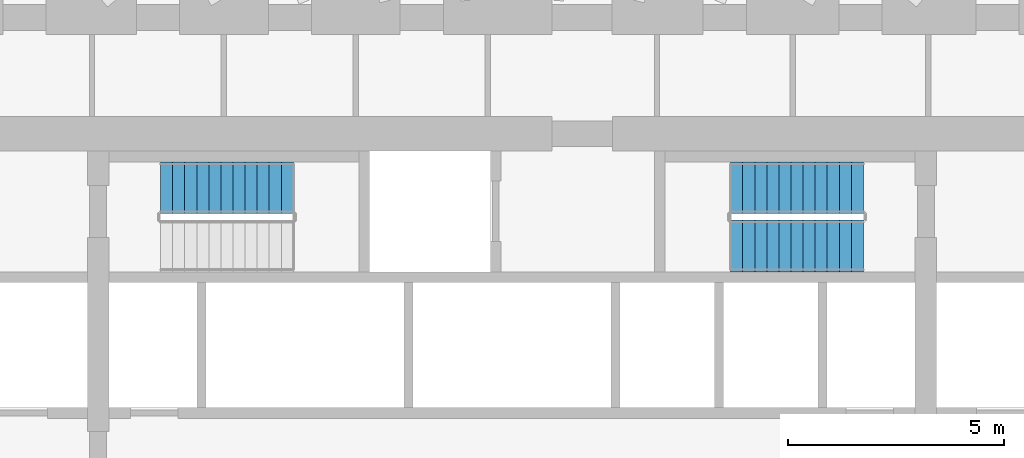
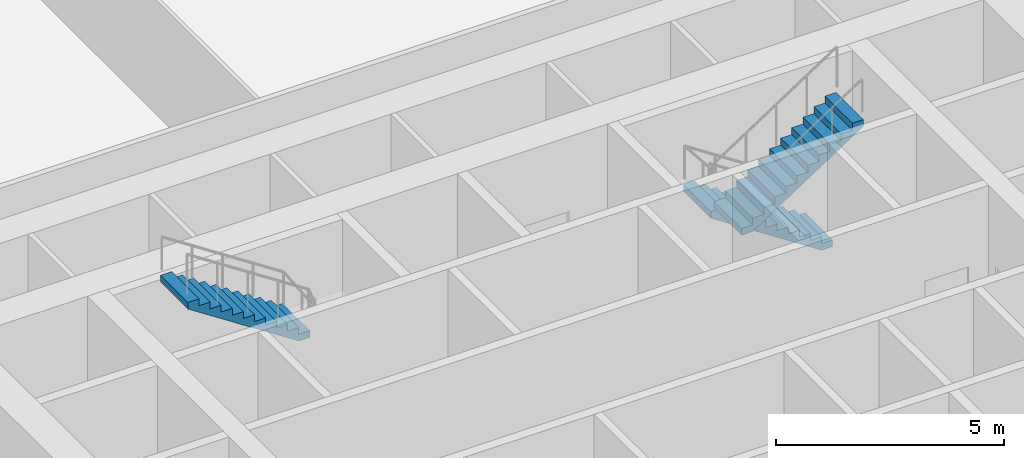
# One storey, part 9 of 13: 3 stair flights, 2 elements without a shape of their own.
"""IFC4 building model written with IfcOpenShell, lengths in metres."""

from ifc_helpers import new_model, si_unit, direction, frame, origin, place, context, subcontext, project, spatial, polyline, outline, extrude, material, layer, layer_set, type_object, element, aggregate, save


model = new_model("IFC4")

# Units and contexts
model_context = context("Model", 3, precision=1e-05, world=origin(), true_north=direction((0.0, 1.0)))
body_context = subcontext(model_context, "Body", "Model", "MODEL_VIEW")
ifc_project = project(units=[si_unit("LENGTHUNIT", "METRE"), si_unit("AREAUNIT", "SQUARE_METRE"), si_unit("VOLUMEUNIT", "CUBIC_METRE"), si_unit("PLANEANGLEUNIT", "RADIAN"), si_unit("MASSUNIT", "GRAM", prefix="KILO")], contexts=[model_context])

# Site, building, storey
site_placement = place(None, origin())
site = spatial("IfcSite", under=ifc_project, at=site_placement, CompositionType="ELEMENT")
building_placement = place(site_placement, origin())
building = spatial("IfcBuilding", under=site, at=building_placement, Name="Frailejon Research Tower", CompositionType="ELEMENT")
storey_placement = place(building_placement, frame((0.0, 0.0, 98.39990234375)))
storey = spatial("IfcBuildingStorey", under=building, at=storey_placement, Name="L21", CompositionType="ELEMENT", Elevation=98.39990234375)

# Stair, stair flight
ifc_material_1 = material(Name="Concrete C50/60", Category="concrete")
stair_type = type_object("IfcStairType", Name="Exit stair 24 risers", PredefinedType="HALF_TURN_STAIR", material=ifc_material_1)
stair_1_placement = place(storey_placement, origin())
stair_1 = element("IfcStair", 1, at=stair_1_placement, inside=storey, type_object=stair_type, Name="L21 Exit stair ST1", PredefinedType="HALF_TURN_STAIR")
ifc_material_2 = material(Name="Concrete C50/60", Category="concrete")
ifc_layer = layer(ifc_material_2, 0.14990234375)
ifc_layer_set = layer_set([ifc_layer], Name="Stair flight 12 risers")
stair_flight_type = type_object("IfcStairFlightType", Name="Stair flight 12 risers", PredefinedType="STRAIGHT", material=ifc_layer_set)
stair_flight_1_placement = place(storey_placement, frame((-5.070068359375, 6.85009765625, 2.2001953125), z_axis=(0.0, 0.0, 1.0), x_axis=(-1.0, 0.0, 0.0)))
stair_flight_1 = element("IfcStairFlight", 2, at=stair_flight_1_placement, type_object=stair_flight_type, Name="ST1 flight 2", NumberOfRisers=12, NumberOfTreads=11, PredefinedType="STRAIGHT", RiserHeight=0.183333333, TreadLength=0.28, context=body_context, shape_type="SweptSolid", body=[
    extrude(outline(polyline([(0.0, 0.0), (0.0, 0.183349609375), (0.280029296875, 0.183349609375), (0.280029296875, 0.36669921875), (0.56005859375, 0.36669921875), (0.56005859375, 0.550048828125), (0.840087890625, 0.550048828125), (0.840087890625, 0.7333984375), (1.1201171875, 0.7333984375), (1.1201171875, 0.916748046875), (1.39990234375, 0.916748046875), (1.39990234375, 1.10009765625), (1.679931640625, 1.10009765625), (1.679931640625, 1.283447265625), (1.9599609375, 1.283447265625), (1.9599609375, 1.466552734375), (2.239990234375, 1.466552734375), (2.239990234375, 1.64990234375), (2.52001953125, 1.64990234375), (2.52001953125, 1.833251953125), (2.800048828125, 1.833251953125), (2.800048828125, 2.0166015625), (3.080078125, 2.0166015625), (3.080078125, 2.199951171875), (3.080078125, 1.83740234375), (0.273681640625, 0.0), (0.0, 0.0)])), frame((0.0, 0.60009765625, 0.0), z_axis=(0.0, -1.0, 0.0), x_axis=(1.0, 0.0, 0.0)), (0.0, 0.0, 1.0), 1.199951171875),
])
aggregate(stair_1, [stair_flight_1])

# Stair, stair flights
stair_2_placement = place(storey_placement, origin())
stair_2 = element("IfcStair", 3, at=stair_2_placement, inside=storey, type_object=stair_type, Name="L21 Exit stair ST3", PredefinedType="HALF_TURN_STAIR")
stair_flight_2_placement = place(storey_placement, frame((8.14990234375, 6.85009765625, 0.0), z_axis=(0.0, 0.0, 1.0), x_axis=(-1.0, 0.0, 0.0)))
stair_flight_2 = element("IfcStairFlight", 4, at=stair_flight_2_placement, type_object=stair_flight_type, Name="ST3 flight 1", NumberOfRisers=12, NumberOfTreads=11, PredefinedType="STRAIGHT", RiserHeight=0.183333333, TreadLength=0.28, context=body_context, shape_type="SweptSolid", body=[
    extrude(outline(polyline([(0.0, 0.0), (0.0, 0.183349609375), (0.280029296875, 0.183349609375), (0.280029296875, 0.36669921875), (0.56005859375, 0.36669921875), (0.56005859375, 0.550048828125), (0.840087890625, 0.550048828125), (0.840087890625, 0.7333984375), (1.1201171875, 0.7333984375), (1.1201171875, 0.916748046875), (1.39990234375, 0.916748046875), (1.39990234375, 1.10009765625), (1.679931640625, 1.10009765625), (1.679931640625, 1.283447265625), (1.9599609375, 1.283447265625), (1.9599609375, 1.466552734375), (2.239990234375, 1.466552734375), (2.239990234375, 1.64990234375), (2.52001953125, 1.64990234375), (2.52001953125, 1.833251953125), (2.800048828125, 1.833251953125), (2.800048828125, 2.0166015625), (3.080078125, 2.0166015625), (3.080078125, 2.199951171875), (3.080078125, 1.83740234375), (0.273681640625, 0.0), (0.0, 0.0)])), frame((0.0, 0.60009765625, 0.0), z_axis=(0.0, -1.0, 0.0), x_axis=(1.0, 0.0, 0.0)), (0.0, 0.0, 1.0), 1.199951171875),
])
stair_flight_3_placement = place(storey_placement, frame((5.070068359375, 5.5, 2.2001953125), z_axis=(0.0, 0.0, 1.0), x_axis=(1.0, 0.0, 0.0)))
stair_flight_3 = element("IfcStairFlight", 5, at=stair_flight_3_placement, type_object=stair_flight_type, Name="ST3 flight 2", NumberOfRisers=12, NumberOfTreads=11, PredefinedType="STRAIGHT", RiserHeight=0.183333333, TreadLength=0.28, context=body_context, shape_type="SweptSolid", body=[
    extrude(outline(polyline([(0.0, 0.0), (0.0, 0.183349609375), (0.280029296875, 0.183349609375), (0.280029296875, 0.36669921875), (0.56005859375, 0.36669921875), (0.56005859375, 0.550048828125), (0.840087890625, 0.550048828125), (0.840087890625, 0.7333984375), (1.1201171875, 0.7333984375), (1.1201171875, 0.916748046875), (1.39990234375, 0.916748046875), (1.39990234375, 1.10009765625), (1.679931640625, 1.10009765625), (1.679931640625, 1.283447265625), (1.9599609375, 1.283447265625), (1.9599609375, 1.466552734375), (2.239990234375, 1.466552734375), (2.239990234375, 1.64990234375), (2.52001953125, 1.64990234375), (2.52001953125, 1.833251953125), (2.800048828125, 1.833251953125), (2.800048828125, 2.0166015625), (3.080078125, 2.0166015625), (3.080078125, 2.199951171875), (3.080078125, 1.83740234375), (0.273681640625, 0.0), (0.0, 0.0)])), frame((0.0, 0.60009765625, 0.0), z_axis=(0.0, -1.0, 0.0), x_axis=(1.0, 0.0, 0.0)), (0.0, 0.0, 1.0), 1.199951171875),
])
aggregate(stair_2, [stair_flight_2, stair_flight_3])

save(model, "model.ifc")
